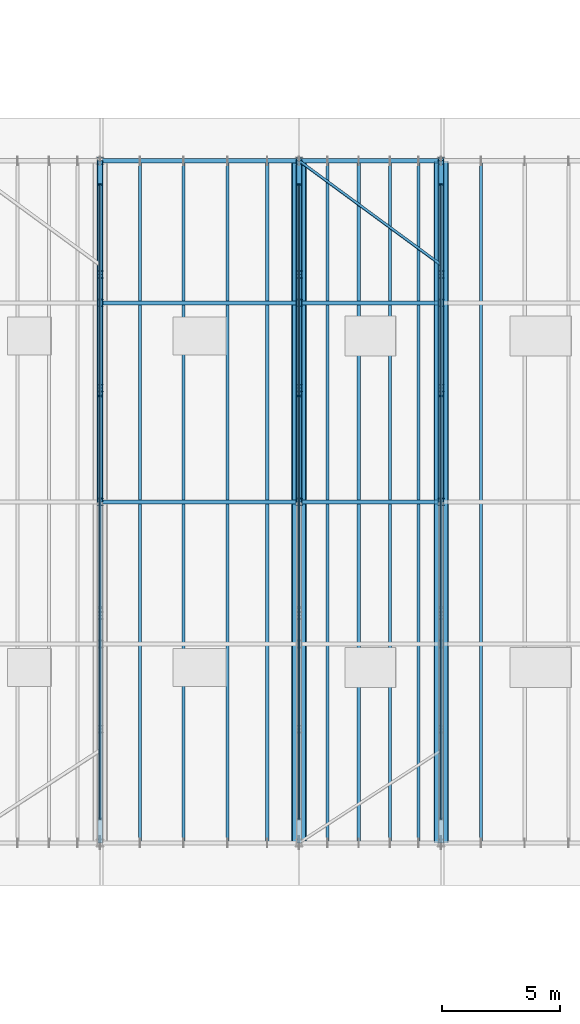
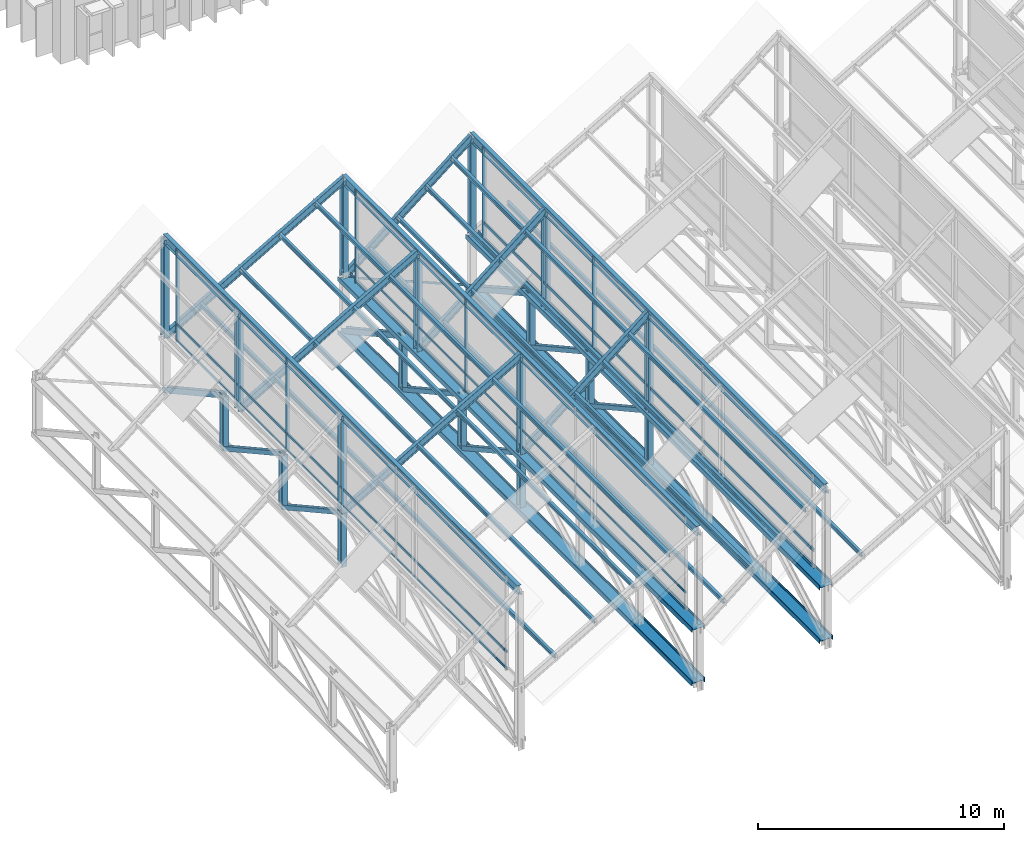
# One storey, part 24 of 101: 56 members, 9 beams, 3 elements without a shape of their own.
"""IFC4 building model written with IfcOpenShell, lengths in metres."""

from ifc_helpers import new_model, si_unit, direction, frame, origin, origin_2d, place, context, subcontext, project, spatial, rectangle, i_section, l_section, extrude, material, material_profile, profile_set, type_object, element, aggregate, save


model = new_model("IFC4")

# Units and contexts
model_context = context("Model", 3, precision=1e-05, world=origin(), true_north=direction((0.0, 1.0)))
body_context = subcontext(model_context, "Body", "Model", "MODEL_VIEW")
ifc_project = project(units=[si_unit("LENGTHUNIT", "METRE"), si_unit("AREAUNIT", "SQUARE_METRE"), si_unit("VOLUMEUNIT", "CUBIC_METRE"), si_unit("PLANEANGLEUNIT", "RADIAN"), si_unit("MASSUNIT", "GRAM", prefix="KILO"), si_unit("THERMODYNAMICTEMPERATUREUNIT", "KELVIN")], contexts=[model_context])

# Site, building, storey
site_placement = place(None, origin())
site = spatial("IfcSite", under=ifc_project, at=site_placement, CompositionType="ELEMENT")
building_placement = place(site_placement, origin())
building = spatial("IfcBuilding", under=site, at=building_placement, Name="Thalorik Housing Commons", CompositionType="ELEMENT")
storey_placement = place(building_placement, frame((0.0, 0.0, 8.10009765625)))
storey = spatial("IfcBuildingStorey", under=building, at=storey_placement, Name="L02", CompositionType="ELEMENT", Elevation=8.10009765625)

# Curtain wall, members
ifc_material_1 = material(Name="Anodised aluminium and solar-control low-E glass", Category="aluminium")
curtain_wall_type = type_object("IfcCurtainWallType", Name="ARC-CW-CLER", PredefinedType="USERDEFINED", material=ifc_material_1)
curtain_wall_1_placement = place(storey_placement, origin())
curtain_wall_1 = element("IfcCurtainWall", 1, at=curtain_wall_1_placement, inside=storey, type_object=curtain_wall_type, Name="L02 Curtain Wall CW-SAW-CLER-02", ObjectType="CURTAIN WALL", PredefinedType="USERDEFINED")
ifc_material_2 = material(Name="Anodised aluminium 6063-T6", Category="aluminium")
ifc_material_profile_1 = material_profile(ifc_material_2, rectangle(XDim=0.054931640625, YDim=0.139892578125, at=origin_2d()), Name="ALU MUL 55x140", Category="aluminium")
ifc_profile_set_1 = profile_set([ifc_material_profile_1], Name="Anodised aluminium 6063-T6")
member_type_1 = type_object("IfcMemberType", Name="ARC-CW-MUL-55x140", PredefinedType="MULLION", material=ifc_profile_set_1)
member_1_placement = place(storey_placement, frame((80.39990234375, 76.466796875, 3.2998046875), z_axis=(0.0, 0.0, 1.0), x_axis=(0.0, 1.0, 0.0)))
member_1 = element("IfcMember", 2, at=member_1_placement, type_object=member_type_1, Name="CW-SAW-CLER-02 Mullion 3", PredefinedType="MULLION", context=body_context, shape_type="SweptSolid", body=[
    extrude(rectangle(XDim=0.054931640625, YDim=0.139892578125, at=origin_2d()), origin(), (0.0, 0.0, 1.0), 4.650146484375),
])
member_2_placement = place(storey_placement, frame((80.39990234375, 85.39990234375, 3.2998046875), z_axis=(0.0, 0.0, 1.0), x_axis=(0.0, 1.0, 0.0)))
member_2 = element("IfcMember", 3, at=member_2_placement, type_object=member_type_1, Name="CW-SAW-CLER-02 Mullion 4", PredefinedType="MULLION", context=body_context, shape_type="SweptSolid", body=[
    extrude(rectangle(XDim=0.054931640625, YDim=0.139892578125, at=origin_2d()), origin(), (0.0, 0.0, 1.0), 4.650146484375),
])

curtain_wall_2_placement = place(storey_placement, origin())
curtain_wall_2 = element("IfcCurtainWall", 4, at=curtain_wall_2_placement, inside=storey, type_object=curtain_wall_type, Name="L02 Curtain Wall CW-SAW-CLER-01", ObjectType="CURTAIN WALL", PredefinedType="USERDEFINED")
ifc_material_profile_2 = material_profile(ifc_material_2, rectangle(XDim=0.06005859375, YDim=0.159912109375, at=origin_2d()), Name="ALU MUL 60x160", Category="aluminium")
ifc_profile_set_2 = profile_set([ifc_material_profile_2], Name="Anodised aluminium 6063-T6")
member_type_2 = type_object("IfcMemberType", Name="ARC-CW-MUL-60x160", PredefinedType="MULLION", material=ifc_profile_set_2)
member_3_placement = place(storey_placement, frame((72.0, 76.466796875, 3.2998046875), z_axis=(0.0, 0.0, 1.0), x_axis=(0.0, 1.0, 0.0)))
member_3 = element("IfcMember", 5, at=member_3_placement, type_object=member_type_2, Name="CW-SAW-CLER-01 Mullion 3", PredefinedType="MULLION", context=body_context, shape_type="SweptSolid", body=[
    extrude(rectangle(XDim=0.06005859375, YDim=0.159912109375, at=origin_2d()), origin(), (0.0, 0.0, 1.0), 4.650146484375),
])
member_4_placement = place(storey_placement, frame((72.0, 85.39990234375, 3.2998046875), z_axis=(0.0, 0.0, 1.0), x_axis=(0.0, 1.0, 0.0)))
member_4 = element("IfcMember", 6, at=member_4_placement, type_object=member_type_2, Name="CW-SAW-CLER-01 Mullion 4", PredefinedType="MULLION", context=body_context, shape_type="SweptSolid", body=[
    extrude(rectangle(XDim=0.06005859375, YDim=0.159912109375, at=origin_2d()), origin(), (0.0, 0.0, 1.0), 4.650146484375),
])

curtain_wall_3_placement = place(storey_placement, origin())
curtain_wall_3 = element("IfcCurtainWall", 7, at=curtain_wall_3_placement, inside=storey, type_object=curtain_wall_type, Name="L02 Curtain Wall CW-SAW-CLER-03", ObjectType="CURTAIN WALL", PredefinedType="USERDEFINED")
ifc_material_profile_3 = material_profile(ifc_material_2, rectangle(XDim=0.06494140625, YDim=0.179931640625, at=origin_2d()), Name="ALU MUL 65x180", Category="aluminium")
ifc_profile_set_3 = profile_set([ifc_material_profile_3], Name="Anodised aluminium 6063-T6")
member_type_3 = type_object("IfcMemberType", Name="ARC-CW-MUL-65x180", PredefinedType="MULLION", material=ifc_profile_set_3)
member_5_placement = place(storey_placement, frame((86.39990234375, 76.466796875, 3.2998046875), z_axis=(0.0, 0.0, 1.0), x_axis=(0.0, 1.0, 0.0)))
member_5 = element("IfcMember", 8, at=member_5_placement, type_object=member_type_3, Name="CW-SAW-CLER-03 Mullion 3", PredefinedType="MULLION", context=body_context, shape_type="SweptSolid", body=[
    extrude(rectangle(XDim=0.06494140625, YDim=0.179931640625, at=origin_2d()), origin(), (0.0, 0.0, 1.0), 4.650146484375),
])
member_6_placement = place(storey_placement, frame((86.39990234375, 85.39990234375, 3.2998046875), z_axis=(0.0, 0.0, 1.0), x_axis=(0.0, 1.0, 0.0)))
member_6 = element("IfcMember", 9, at=member_6_placement, type_object=member_type_3, Name="CW-SAW-CLER-03 Mullion 4", PredefinedType="MULLION", context=body_context, shape_type="SweptSolid", body=[
    extrude(rectangle(XDim=0.06494140625, YDim=0.179931640625, at=origin_2d()), origin(), (0.0, 0.0, 1.0), 4.650146484375),
])

# Member
ifc_material_profile_4 = material_profile(ifc_material_2, rectangle(XDim=0.054931640625, YDim=0.10498046875, at=origin_2d()), Name="ALU TRN 55x105", Category="aluminium")
ifc_profile_set_4 = profile_set([ifc_material_profile_4], Name="Anodised aluminium 6063-T6")
member_type_4 = type_object("IfcMemberType", Name="ARC-CW-TRN-55x105", PredefinedType="USERDEFINED", material=ifc_profile_set_4)
member_7_placement = place(storey_placement, frame((80.39990234375, 58.60009765625, 3.35498046875), z_axis=(0.0, 1.0, 0.0), x_axis=(-1.0, 0.0, 0.0)))
member_7 = element("IfcMember", 10, at=member_7_placement, type_object=member_type_4, Name="CW-SAW-CLER-02 Transom 1", ObjectType="TRANSOM", PredefinedType="USERDEFINED", context=body_context, shape_type="SweptSolid", body=[
    extrude(rectangle(XDim=0.054931640625, YDim=0.10498046875, at=origin_2d()), origin(), (0.0, 0.0, 1.0), 26.7998046875),
])

member_8_placement = place(storey_placement, frame((80.39990234375, 58.60009765625, 4.179931640625), z_axis=(0.0, 1.0, 0.0), x_axis=(-1.0, 0.0, 0.0)))
member_8 = element("IfcMember", 11, at=member_8_placement, type_object=member_type_4, Name="CW-SAW-CLER-02 Transom 2", ObjectType="TRANSOM", PredefinedType="USERDEFINED", context=body_context, shape_type="SweptSolid", body=[
    extrude(rectangle(XDim=0.054931640625, YDim=0.10498046875, at=origin_2d()), origin(), (0.0, 0.0, 1.0), 26.7998046875),
])

member_9_placement = place(storey_placement, frame((80.39990234375, 58.60009765625, 7.89501953125), z_axis=(0.0, 1.0, 0.0), x_axis=(-1.0, 0.0, 0.0)))
member_9 = element("IfcMember", 12, at=member_9_placement, type_object=member_type_4, Name="CW-SAW-CLER-02 Transom 3", ObjectType="TRANSOM", PredefinedType="USERDEFINED", context=body_context, shape_type="SweptSolid", body=[
    extrude(rectangle(XDim=0.054931640625, YDim=0.10498046875, at=origin_2d()), origin(), (0.0, 0.0, 1.0), 26.7998046875),
])

aggregate(curtain_wall_1, [member_1, member_2, member_7, member_8, member_9])

ifc_material_profile_5 = material_profile(ifc_material_2, rectangle(XDim=0.06005859375, YDim=0.1201171875, at=origin_2d()), Name="ALU TRN 60x120", Category="aluminium")
ifc_profile_set_5 = profile_set([ifc_material_profile_5], Name="Anodised aluminium 6063-T6")
member_type_5 = type_object("IfcMemberType", Name="ARC-CW-TRN-60x120", PredefinedType="USERDEFINED", material=ifc_profile_set_5)
member_10_placement = place(storey_placement, frame((72.0, 58.60009765625, 3.35498046875), z_axis=(0.0, 1.0, 0.0), x_axis=(-1.0, 0.0, 0.0)))
member_10 = element("IfcMember", 13, at=member_10_placement, type_object=member_type_5, Name="CW-SAW-CLER-01 Transom 1", ObjectType="TRANSOM", PredefinedType="USERDEFINED", context=body_context, shape_type="SweptSolid", body=[
    extrude(rectangle(XDim=0.06005859375, YDim=0.1201171875, at=origin_2d()), origin(), (0.0, 0.0, 1.0), 26.7998046875),
])

member_11_placement = place(storey_placement, frame((72.0, 58.60009765625, 4.179931640625), z_axis=(0.0, 1.0, 0.0), x_axis=(-1.0, 0.0, 0.0)))
member_11 = element("IfcMember", 14, at=member_11_placement, type_object=member_type_5, Name="CW-SAW-CLER-01 Transom 2", ObjectType="TRANSOM", PredefinedType="USERDEFINED", context=body_context, shape_type="SweptSolid", body=[
    extrude(rectangle(XDim=0.06005859375, YDim=0.1201171875, at=origin_2d()), origin(), (0.0, 0.0, 1.0), 26.7998046875),
])

member_12_placement = place(storey_placement, frame((72.0, 58.60009765625, 7.89501953125), z_axis=(0.0, 1.0, 0.0), x_axis=(-1.0, 0.0, 0.0)))
member_12 = element("IfcMember", 15, at=member_12_placement, type_object=member_type_5, Name="CW-SAW-CLER-01 Transom 3", ObjectType="TRANSOM", PredefinedType="USERDEFINED", context=body_context, shape_type="SweptSolid", body=[
    extrude(rectangle(XDim=0.06005859375, YDim=0.1201171875, at=origin_2d()), origin(), (0.0, 0.0, 1.0), 26.7998046875),
])

aggregate(curtain_wall_2, [member_3, member_4, member_10, member_11, member_12])

ifc_material_profile_6 = material_profile(ifc_material_2, rectangle(XDim=0.06494140625, YDim=0.14990234375, at=origin_2d()), Name="ALU TRN 65x150", Category="aluminium")
ifc_profile_set_6 = profile_set([ifc_material_profile_6], Name="Anodised aluminium 6063-T6")
member_type_6 = type_object("IfcMemberType", Name="ARC-CW-TRN-65x150", PredefinedType="USERDEFINED", material=ifc_profile_set_6)
member_13_placement = place(storey_placement, frame((86.39990234375, 58.60009765625, 3.35498046875), z_axis=(0.0, 1.0, 0.0), x_axis=(-1.0, 0.0, 0.0)))
member_13 = element("IfcMember", 16, at=member_13_placement, type_object=member_type_6, Name="CW-SAW-CLER-03 Transom 1", ObjectType="TRANSOM", PredefinedType="USERDEFINED", context=body_context, shape_type="SweptSolid", body=[
    extrude(rectangle(XDim=0.06494140625, YDim=0.14990234375, at=origin_2d()), origin(), (0.0, 0.0, 1.0), 26.7998046875),
])

member_14_placement = place(storey_placement, frame((86.39990234375, 58.60009765625, 4.179931640625), z_axis=(0.0, 1.0, 0.0), x_axis=(-1.0, 0.0, 0.0)))
member_14 = element("IfcMember", 17, at=member_14_placement, type_object=member_type_6, Name="CW-SAW-CLER-03 Transom 2", ObjectType="TRANSOM", PredefinedType="USERDEFINED", context=body_context, shape_type="SweptSolid", body=[
    extrude(rectangle(XDim=0.06494140625, YDim=0.14990234375, at=origin_2d()), origin(), (0.0, 0.0, 1.0), 26.7998046875),
])

member_15_placement = place(storey_placement, frame((86.39990234375, 58.60009765625, 7.89501953125), z_axis=(0.0, 1.0, 0.0), x_axis=(-1.0, 0.0, 0.0)))
member_15 = element("IfcMember", 18, at=member_15_placement, type_object=member_type_6, Name="CW-SAW-CLER-03 Transom 3", ObjectType="TRANSOM", PredefinedType="USERDEFINED", context=body_context, shape_type="SweptSolid", body=[
    extrude(rectangle(XDim=0.06494140625, YDim=0.14990234375, at=origin_2d()), origin(), (0.0, 0.0, 1.0), 26.7998046875),
])

aggregate(curtain_wall_3, [member_5, member_6, member_13, member_14, member_15])

# Beams
ifc_material_3 = material(Name="Steel S355", Category="steel")
ifc_material_profile_7 = material_profile(ifc_material_3, i_section(OverallWidth=0.1708984375, OverallDepth=0.35498046875, WebThickness=0.007080078125, FlangeThickness=0.01171875, FilletRadius=0.010009765625, at=origin_2d()), Name="W360x51", Category="steel")
ifc_profile_set_7 = profile_set([ifc_material_profile_7], Name="Steel S355")
beam_type_1 = type_object("IfcBeamType", Name="STR-BM-W360x51", PredefinedType="BEAM", material=ifc_profile_set_7)
for number, where, z_axis, x_axis, name in (
    (19, (72.0, 72.0, 3.0), (0.866017919902, 0.0, 0.500012962241), (0.0, 1.0, 0.0), "L02 Sawtooth Bay 2 Rafter 3"),
    (20, (72.0, 80.39990234375, 3.0), (0.866017919902, 0.0, 0.500012962241), (0.0, 1.0, 0.0), "L02 Sawtooth Bay 2 Rafter 4"),
    (21, (72.0, 86.39990234375, 3.0), (0.866017919902, 0.0, 0.500012962241), (0.0, 1.0, 0.0), "L02 Sawtooth Bay 2 Rafter 5"),
):
    element("IfcBeam", number, at=place(storey_placement, frame(where, z_axis=z_axis, x_axis=x_axis)), inside=storey, type_object=beam_type_1, Name=name, PredefinedType="BEAM", context=body_context, shape_type="SweptSolid", body=[
        extrude(i_section(OverallWidth=0.1708984375, OverallDepth=0.35498046875, WebThickness=0.007080078125, FlangeThickness=0.01171875, FilletRadius=0.010009765625, at=origin_2d()), origin(), (0.0, 0.0, 1.0), 9.699462890625),
    ])
for number, where, z_axis, x_axis, name in (
    (22, (80.39990234375, 72.0, 3.0), (0.777706721002, 0.0, 0.628627279163), (0.0, 1.0, 0.0), "L02 Sawtooth Bay 3 Rafter 3"),
    (23, (80.39990234375, 80.39990234375, 3.0), (0.777706721002, 0.0, 0.628627279163), (0.0, 1.0, 0.0), "L02 Sawtooth Bay 3 Rafter 4"),
    (24, (80.39990234375, 86.39990234375, 3.0), (0.777706721002, 0.0, 0.628627279163), (0.0, 1.0, 0.0), "L02 Sawtooth Bay 3 Rafter 5"),
):
    element("IfcBeam", number, at=place(storey_placement, frame(where, z_axis=z_axis, x_axis=x_axis)), inside=storey, type_object=beam_type_1, Name=name, PredefinedType="BEAM", context=body_context, shape_type="SweptSolid", body=[
        extrude(i_section(OverallWidth=0.1708984375, OverallDepth=0.35498046875, WebThickness=0.007080078125, FlangeThickness=0.01171875, FilletRadius=0.010009765625, at=origin_2d()), origin(), (0.0, 0.0, 1.0), 7.715087890625),
    ])
ifc_material_profile_8 = material_profile(ifc_material_3, i_section(OverallWidth=0.19189453125, OverallDepth=0.462890625, WebThickness=0.010498046875, FlangeThickness=0.017578125, FilletRadius=0.011962890625, at=origin_2d()), Name="W460x89", Category="steel")
ifc_profile_set_8 = profile_set([ifc_material_profile_8], Name="Steel S355")
beam_type_2 = type_object("IfcBeamType", Name="STR-BM-W460x89", PredefinedType="BEAM", material=ifc_profile_set_8)
for number, where, z_axis, x_axis, name in (
    (25, (72.0, 57.60009765625, 7.849853515625), (0.0, 1.0, 0.0), (-1.0, 0.0, 0.0), "L02 Sawtooth Bay 1 Ridge Collector Beam"),
    (26, (80.39990234375, 57.60009765625, 7.849853515625), (0.0, 1.0, 0.0), (-1.0, 0.0, 0.0), "L02 Sawtooth Bay 2 Ridge Collector Beam"),
    (27, (86.39990234375, 57.60009765625, 7.849853515625), (0.0, 1.0, 0.0), (-1.0, 0.0, 0.0), "L02 Sawtooth Bay 3 Ridge Collector Beam"),
):
    element("IfcBeam", number, at=place(storey_placement, frame(where, z_axis=z_axis, x_axis=x_axis)), inside=storey, type_object=beam_type_2, Name=name, PredefinedType="BEAM", context=body_context, shape_type="SweptSolid", body=[
        extrude(i_section(OverallWidth=0.19189453125, OverallDepth=0.462890625, WebThickness=0.010498046875, FlangeThickness=0.017578125, FilletRadius=0.011962890625, at=origin_2d()), origin(), (0.0, 0.0, 1.0), 28.7998046875),
    ])

# Members
ifc_material_profile_9 = material_profile(ifc_material_3, i_section(OverallWidth=0.22998046875, OverallDepth=0.616943359375, WebThickness=0.01318359375, FlangeThickness=0.022216796875, FilletRadius=0.012939453125, at=origin_2d()), Name="W610x140", Category="steel")
ifc_profile_set_9 = profile_set([ifc_material_profile_9], Name="Steel S355")
member_type_7 = type_object("IfcMemberType", Name="STR-MEM-CHORD-BOT", PredefinedType="CHORD", material=ifc_profile_set_9)
for number, where, z_axis, x_axis, name in (
    (28, (80.39990234375, 57.60009765625, 0.349853515625), (0.0, 1.0, 0.0), (0.0, 0.0, 1.0), "L02 Sawtooth Truss 3 Bottom Chord"),
    (29, (86.39990234375, 57.60009765625, 0.349853515625), (0.0, 1.0, 0.0), (0.0, 0.0, 1.0), "L02 Sawtooth Truss 4 Bottom Chord"),
):
    element("IfcMember", number, at=place(storey_placement, frame(where, z_axis=z_axis, x_axis=x_axis)), inside=storey, type_object=member_type_7, Name=name, PredefinedType="CHORD", context=body_context, shape_type="SweptSolid", body=[
        extrude(i_section(OverallWidth=0.22998046875, OverallDepth=0.616943359375, WebThickness=0.01318359375, FlangeThickness=0.022216796875, FilletRadius=0.012939453125, at=origin_2d()), origin(), (0.0, 0.0, 1.0), 28.7998046875),
    ])
ifc_material_profile_10 = material_profile(ifc_material_3, i_section(OverallWidth=0.22802734375, OverallDepth=0.60791015625, WebThickness=0.01123046875, FlangeThickness=0.017333984375, FilletRadius=0.012939453125, at=origin_2d()), Name="W610x113", Category="steel")
ifc_profile_set_10 = profile_set([ifc_material_profile_10], Name="Steel S355")
member_type_8 = type_object("IfcMemberType", Name="STR-MEM-CHORD-TOP", PredefinedType="CHORD", material=ifc_profile_set_10)
for number, where, z_axis, x_axis, name in (
    (30, (80.39990234375, 57.60009765625, 3.0), (0.0, 1.0, 0.0), (0.0, 0.0, 1.0), "L02 Sawtooth Truss 3 Valley Chord"),
    (31, (86.39990234375, 57.60009765625, 3.0), (0.0, 1.0, 0.0), (0.0, 0.0, 1.0), "L02 Sawtooth Truss 4 Valley Chord"),
):
    element("IfcMember", number, at=place(storey_placement, frame(where, z_axis=z_axis, x_axis=x_axis)), inside=storey, type_object=member_type_8, Name=name, PredefinedType="CHORD", context=body_context, shape_type="SweptSolid", body=[
        extrude(i_section(OverallWidth=0.22802734375, OverallDepth=0.60791015625, WebThickness=0.01123046875, FlangeThickness=0.017333984375, FilletRadius=0.012939453125, at=origin_2d()), origin(), (0.0, 0.0, 1.0), 28.7998046875),
    ])
ifc_material_profile_11 = material_profile(ifc_material_3, i_section(OverallWidth=0.201904296875, OverallDepth=0.2470703125, WebThickness=0.00732421875, FlangeThickness=0.010986328125, FilletRadius=0.010009765625, at=origin_2d()), Name="W250x49", Category="steel")
ifc_profile_set_11 = profile_set([ifc_material_profile_11], Name="Steel S355")
member_type_9 = type_object("IfcMemberType", Name="STR-MEM-DIAG-250", PredefinedType="BRACE", material=ifc_profile_set_11)
for number, where, z_axis, x_axis, name in (
    (32, (72.0, 72.0, 3.0), (0.0, 0.875435421067, -0.48333510481), (0.0, 0.48333510481, 0.875435421067), "L02 Sawtooth Truss 2 Web Diagonal 4"),
    (33, (72.0, 76.800048828125, 3.0), (0.0, 0.875435421067, -0.48333510481), (0.0, 0.48333510481, 0.875435421067), "L02 Sawtooth Truss 2 Web Diagonal 5"),
    (34, (80.39990234375, 72.0, 3.0), (0.0, 0.875435421067, -0.48333510481), (0.0, 0.48333510481, 0.875435421067), "L02 Sawtooth Truss 3 Web Diagonal 4"),
    (35, (80.39990234375, 76.800048828125, 3.0), (0.0, 0.875435421067, -0.48333510481), (0.0, 0.48333510481, 0.875435421067), "L02 Sawtooth Truss 3 Web Diagonal 5"),
    (36, (86.39990234375, 72.0, 3.0), (0.0, 0.875435421067, -0.48333510481), (0.0, 0.48333510481, 0.875435421067), "L02 Sawtooth Truss 4 Web Diagonal 4"),
    (37, (86.39990234375, 76.800048828125, 3.0), (0.0, 0.875435421067, -0.48333510481), (0.0, 0.48333510481, 0.875435421067), "L02 Sawtooth Truss 4 Web Diagonal 5"),
):
    element("IfcMember", number, at=place(storey_placement, frame(where, z_axis=z_axis, x_axis=x_axis)), inside=storey, type_object=member_type_9, Name=name, PredefinedType="BRACE", context=body_context, shape_type="SweptSolid", body=[
        extrude(i_section(OverallWidth=0.201904296875, OverallDepth=0.2470703125, WebThickness=0.00732421875, FlangeThickness=0.010986328125, FilletRadius=0.010009765625, at=origin_2d()), origin(), (0.0, 0.0, 1.0), 5.483154296875),
    ])
ifc_material_profile_12 = material_profile(ifc_material_3, i_section(OverallWidth=0.25390625, OverallDepth=0.2529296875, WebThickness=0.008544921875, FlangeThickness=0.01416015625, FilletRadius=0.010009765625, at=origin_2d()), Name="W250x73", Category="steel")
ifc_profile_set_12 = profile_set([ifc_material_profile_12], Name="Steel S355")
member_type_10 = type_object("IfcMemberType", Name="STR-MEM-DIAG-250H", PredefinedType="BRACE", material=ifc_profile_set_12)
for number, where, z_axis, x_axis, name in (
    (38, (72.0, 81.60009765625, 3.0), (0.0, 0.875425018498, -0.48335394587), (0.0, 0.48335394587, 0.875425018498), "L02 Sawtooth Truss 2 Web Diagonal 6"),
    (39, (80.39990234375, 81.60009765625, 3.0), (0.0, 0.875425018498, -0.48335394587), (0.0, 0.48335394587, 0.875425018498), "L02 Sawtooth Truss 3 Web Diagonal 6"),
    (40, (86.39990234375, 81.60009765625, 3.0), (0.0, 0.875425018498, -0.48335394587), (0.0, 0.48335394587, 0.875425018498), "L02 Sawtooth Truss 4 Web Diagonal 6"),
):
    element("IfcMember", number, at=place(storey_placement, frame(where, z_axis=z_axis, x_axis=x_axis)), inside=storey, type_object=member_type_10, Name=name, PredefinedType="BRACE", context=body_context, shape_type="SweptSolid", body=[
        extrude(i_section(OverallWidth=0.25390625, OverallDepth=0.2529296875, WebThickness=0.008544921875, FlangeThickness=0.01416015625, FilletRadius=0.010009765625, at=origin_2d()), origin(), (0.0, 0.0, 1.0), 5.48291015625),
    ])
ifc_material_profile_13 = material_profile(ifc_material_3, i_section(OverallWidth=0.25390625, OverallDepth=0.305908203125, WebThickness=0.0087890625, FlangeThickness=0.0146484375, FilletRadius=0.010009765625, at=origin_2d()), Name="W310x79", Category="steel")
ifc_profile_set_13 = profile_set([ifc_material_profile_13], Name="Steel S355")
member_type_11 = type_object("IfcMemberType", Name="STR-MEM-POST-310", PredefinedType="POST", material=ifc_profile_set_13)
for number, where, z_axis, x_axis, name in (
    (41, (72.0, 72.0, 0.349853515625), (0.0, 0.0, 1.0), (1.0, 0.0, 0.0), "L02 Sawtooth Truss 2 Vertical 3"),
    (42, (72.0, 76.800048828125, 0.349853515625), (0.0, 0.0, 1.0), (1.0, 0.0, 0.0), "L02 Sawtooth Truss 2 Vertical 4"),
    (43, (72.0, 81.60009765625, 0.349853515625), (0.0, 0.0, 1.0), (1.0, 0.0, 0.0), "L02 Sawtooth Truss 2 Vertical 5"),
    (44, (80.39990234375, 72.0, 0.349853515625), (0.0, 0.0, 1.0), (1.0, 0.0, 0.0), "L02 Sawtooth Truss 3 Vertical 3"),
    (45, (80.39990234375, 76.800048828125, 0.349853515625), (0.0, 0.0, 1.0), (1.0, 0.0, 0.0), "L02 Sawtooth Truss 3 Vertical 4"),
    (46, (80.39990234375, 81.60009765625, 0.349853515625), (0.0, 0.0, 1.0), (1.0, 0.0, 0.0), "L02 Sawtooth Truss 3 Vertical 5"),
    (47, (86.39990234375, 72.0, 0.349853515625), (0.0, 0.0, 1.0), (1.0, 0.0, 0.0), "L02 Sawtooth Truss 4 Vertical 3"),
    (48, (86.39990234375, 76.800048828125, 0.349853515625), (0.0, 0.0, 1.0), (1.0, 0.0, 0.0), "L02 Sawtooth Truss 4 Vertical 4"),
    (49, (86.39990234375, 81.60009765625, 0.349853515625), (0.0, 0.0, 1.0), (1.0, 0.0, 0.0), "L02 Sawtooth Truss 4 Vertical 5"),
):
    element("IfcMember", number, at=place(storey_placement, frame(where, z_axis=z_axis, x_axis=x_axis)), inside=storey, type_object=member_type_11, Name=name, PredefinedType="POST", context=body_context, shape_type="SweptSolid", body=[
        extrude(i_section(OverallWidth=0.25390625, OverallDepth=0.305908203125, WebThickness=0.0087890625, FlangeThickness=0.0146484375, FilletRadius=0.010009765625, at=origin_2d()), origin(), (0.0, 0.0, 1.0), 2.650146484375),
    ])
for number, where, z_axis, x_axis, name in (
    (50, (72.0, 72.0, 3.0), (0.0, 0.0, 1.0), (1.0, 0.0, 0.0), "L02 Sawtooth Bay 1 Clerestory Post 3"),
    (51, (72.0, 80.39990234375, 3.0), (0.0, 0.0, 1.0), (1.0, 0.0, 0.0), "L02 Sawtooth Bay 1 Clerestory Post 4"),
    (52, (72.0, 86.39990234375, 3.0), (0.0, 0.0, 1.0), (1.0, 0.0, 0.0), "L02 Sawtooth Bay 1 Clerestory Post 5"),
    (53, (80.39990234375, 72.0, 3.0), (0.0, 0.0, 1.0), (1.0, 0.0, 0.0), "L02 Sawtooth Bay 2 Clerestory Post 3"),
    (54, (80.39990234375, 80.39990234375, 3.0), (0.0, 0.0, 1.0), (1.0, 0.0, 0.0), "L02 Sawtooth Bay 2 Clerestory Post 4"),
    (55, (80.39990234375, 86.39990234375, 3.0), (0.0, 0.0, 1.0), (1.0, 0.0, 0.0), "L02 Sawtooth Bay 2 Clerestory Post 5"),
    (56, (86.39990234375, 72.0, 3.0), (0.0, 0.0, 1.0), (1.0, 0.0, 0.0), "L02 Sawtooth Bay 3 Clerestory Post 3"),
    (57, (86.39990234375, 80.39990234375, 3.0), (0.0, 0.0, 1.0), (1.0, 0.0, 0.0), "L02 Sawtooth Bay 3 Clerestory Post 4"),
    (58, (86.39990234375, 86.39990234375, 3.0), (0.0, 0.0, 1.0), (1.0, 0.0, 0.0), "L02 Sawtooth Bay 3 Clerestory Post 5"),
):
    element("IfcMember", number, at=place(storey_placement, frame(where, z_axis=z_axis, x_axis=x_axis)), inside=storey, type_object=member_type_11, Name=name, PredefinedType="POST", context=body_context, shape_type="SweptSolid", body=[
        extrude(i_section(OverallWidth=0.25390625, OverallDepth=0.305908203125, WebThickness=0.0087890625, FlangeThickness=0.0146484375, FilletRadius=0.010009765625, at=origin_2d()), origin(), (0.0, 0.0, 1.0), 4.849853515625),
    ])
ifc_material_profile_14 = material_profile(ifc_material_3, i_section(OverallWidth=0.133056640625, OverallDepth=0.20703125, WebThickness=0.005859375, FlangeThickness=0.00830078125, FilletRadius=0.008056640625, at=origin_2d()), Name="W200x27", Category="steel")
ifc_profile_set_14 = profile_set([ifc_material_profile_14], Name="Steel S355")
member_type_12 = type_object("IfcMemberType", Name="STR-MEM-PUR-200", PredefinedType="PURLIN", material=ifc_profile_set_14)
for number, where, z_axis, x_axis, name in (
    (59, (73.679931640625, 57.60009765625, 3.97607421875), (0.0, 1.0, 0.0), (-1.0, 0.0, 0.0), "L02 Sawtooth Bay 2 Roof Purlin 1"),
    (60, (75.528076171875, 57.60009765625, 5.076904296875), (0.0, 1.0, 0.0), (-1.0, 0.0, 0.0), "L02 Sawtooth Bay 2 Roof Purlin 2"),
    (61, (77.3759765625, 57.60009765625, 6.143798828125), (0.0, 1.0, 0.0), (-1.0, 0.0, 0.0), "L02 Sawtooth Bay 2 Roof Purlin 3"),
    (62, (79.055908203125, 57.60009765625, 7.114013671875), (0.0, 1.0, 0.0), (-1.0, 0.0, 0.0), "L02 Sawtooth Bay 2 Roof Purlin 4"),
    (63, (81.60009765625, 57.60009765625, 3.93408203125), (0.0, 1.0, 0.0), (-1.0, 0.0, 0.0), "L02 Sawtooth Bay 3 Roof Purlin 1"),
    (64, (82.919921875, 57.60009765625, 5.05615234375), (0.0, 1.0, 0.0), (-1.0, 0.0, 0.0), "L02 Sawtooth Bay 3 Roof Purlin 2"),
    (65, (84.239990234375, 57.60009765625, 6.143798828125), (0.0, 1.0, 0.0), (-1.0, 0.0, 0.0), "L02 Sawtooth Bay 3 Roof Purlin 3"),
    (66, (85.43994140625, 57.60009765625, 7.114013671875), (0.0, 1.0, 0.0), (-1.0, 0.0, 0.0), "L02 Sawtooth Bay 3 Roof Purlin 4"),
    (67, (88.080078125, 57.60009765625, 3.97607421875), (0.0, 1.0, 0.0), (-1.0, 0.0, 0.0), "L02 Sawtooth Bay 4 Roof Purlin 1"),
):
    element("IfcMember", number, at=place(storey_placement, frame(where, z_axis=z_axis, x_axis=x_axis)), inside=storey, type_object=member_type_12, Name=name, PredefinedType="PURLIN", context=body_context, shape_type="SweptSolid", body=[
        extrude(i_section(OverallWidth=0.133056640625, OverallDepth=0.20703125, WebThickness=0.005859375, FlangeThickness=0.00830078125, FilletRadius=0.008056640625, at=origin_2d()), origin(), (0.0, 0.0, 1.0), 28.7998046875),
    ])
ifc_material_profile_15 = material_profile(ifc_material_3, l_section(Depth=0.1201171875, Width=0.1201171875, Thickness=0.011962890625, FilletRadius=0.009033203125, at=origin_2d()), Name="L120x120x12", Category="steel")
ifc_profile_set_15 = profile_set([ifc_material_profile_15], Name="Steel S355")
member_type_13 = type_object("IfcMemberType", Name="STR-MEM-TIE-L120", PredefinedType="BRACE", material=ifc_profile_set_15)
member_16_placement = place(storey_placement, frame((80.39990234375, 86.39990234375, 3.0), z_axis=(0.80641125493, -0.591355128432, 0.0), x_axis=(0.591355128432, 0.80641125493, 0.0)))
element("IfcMember", 68, at=member_16_placement, inside=storey, type_object=member_type_13, Name="L02 Sawtooth Bay 3 Wind Brace N", PredefinedType="BRACE", context=body_context, shape_type="SweptSolid", body=[
    extrude(l_section(Depth=0.1201171875, Width=0.1201171875, Thickness=0.011962890625, FilletRadius=0.009033203125, at=origin_2d()), origin(), (0.0, 0.0, 1.0), 7.4404296875),
])

save(model, "model.ifc")
